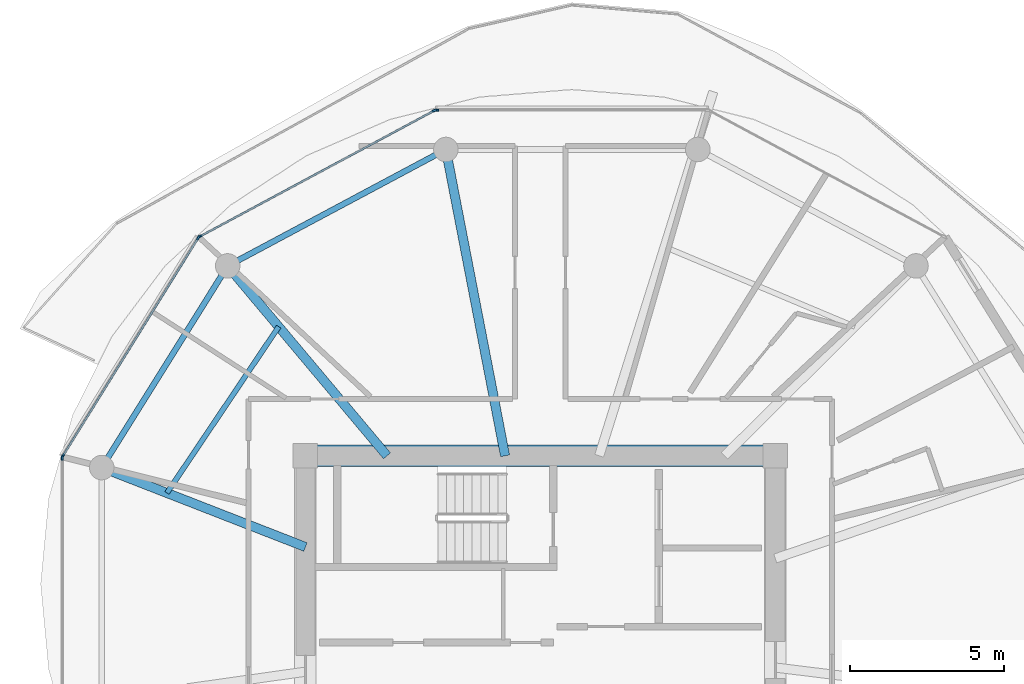
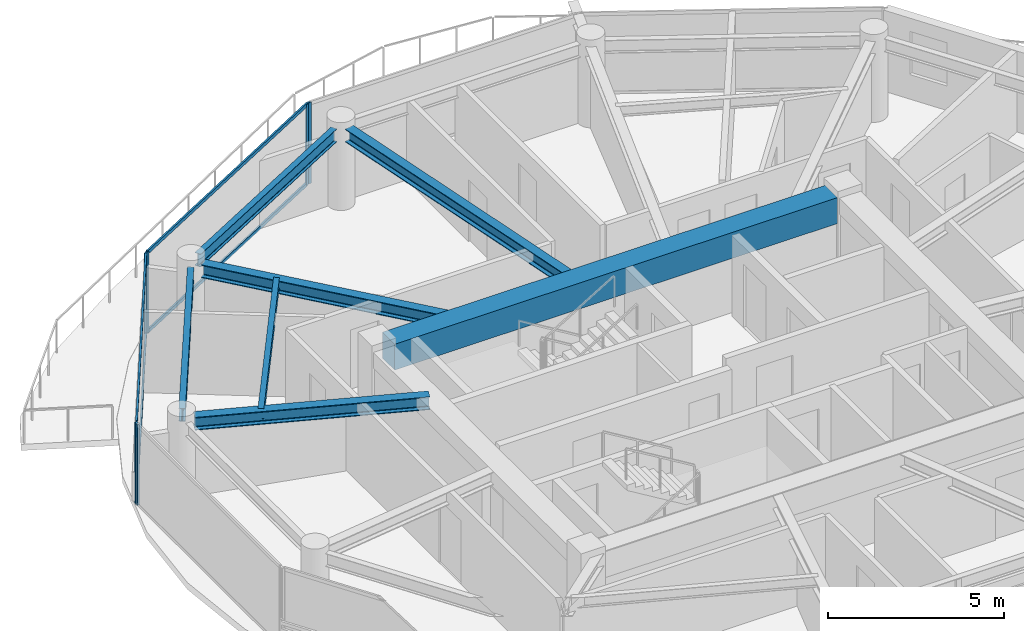
# One storey, part 4 of 21: 10 members, 7 beams, 4 elements without a shape of their own.
"""IFC4 building model written with IfcOpenShell, lengths in metres."""

from ifc_helpers import new_model, si_unit, direction, frame, origin, origin_2d, place, context, subcontext, project, spatial, rectangle, i_section, extrude, source, transform, mapped, material, layer, layer_set, material_profile, profile_set, type_object, type_shapes, element, aggregate, save


model = new_model("IFC4")

# Units and contexts
model_context = context("Model", 3, precision=1e-05, world=origin(), true_north=direction((0.0, 1.0)))
body_context = subcontext(model_context, "Body", "Model", "MODEL_VIEW")
ifc_project = project(units=[si_unit("LENGTHUNIT", "METRE"), si_unit("AREAUNIT", "SQUARE_METRE"), si_unit("VOLUMEUNIT", "CUBIC_METRE"), si_unit("PLANEANGLEUNIT", "RADIAN"), si_unit("MASSUNIT", "GRAM", prefix="KILO")], contexts=[model_context])

# Site, building, storey
site_placement = place(None, origin())
site = spatial("IfcSite", under=ifc_project, at=site_placement, CompositionType="ELEMENT")
building_placement = place(site_placement, origin())
building = spatial("IfcBuilding", under=site, at=building_placement, Name="Norrkilde Senior Care Towers", CompositionType="ELEMENT")
storey_placement = place(building_placement, frame((0.0, 0.0, 143.449951171875)))
storey = spatial("IfcBuildingStorey", under=building, at=storey_placement, Name="L44", CompositionType="ELEMENT", Elevation=143.449951171875)

# Beams
ifc_material_1 = material(Name="Concrete C60/75", Category="concrete")
ifc_material_profile_1 = material_profile(ifc_material_1, rectangle(XDim=0.699951171875, YDim=0.89990234375, at=origin_2d()), Name="RC BM 700x900")
ifc_profile_set_1 = profile_set([ifc_material_profile_1], Name="Concrete C60/75")
beam_type_1 = type_object("IfcBeamType", Name="Core Coupling Girder 700x900", PredefinedType="USERDEFINED", material=ifc_profile_set_1)
shared_shape_1 = source(origin(), body_context, "Body", "SweptSolid", [
    extrude(rectangle(XDim=0.699951171875, YDim=0.89990234375, at=origin_2d()), origin(), (0.0, 0.0, 1.0), 14.5400390625),
])
type_shapes(beam_type_1, [shared_shape_1])
beam_1_placement = place(storey_placement, frame((-35.27001953125, 5.949951171875, 2.360107421875), z_axis=(1.0, 0.0, 0.0), x_axis=(0.0, 1.0, 0.0)))
element("IfcBeam", 1, at=beam_1_placement, inside=storey, type_object=beam_type_1, Name="L44 Core W N Coupling Girder", ObjectType="GIRDER", PredefinedType="USERDEFINED", context=body_context, shape_type="MappedRepresentation", body=[
    mapped(shared_shape_1, transform((0.0, 0.0, 0.0), x_axis=(1.0, 0.0, 0.0), y_axis=(0.0, 1.0, 0.0), z_axis=(0.0, 0.0, 1.0), scale=1.0)),
])
ifc_material_2 = material(Name="Steel S355", Category="steel")
ifc_material_profile_2 = material_profile(ifc_material_2, i_section(OverallWidth=0.18994140625, OverallDepth=0.449951171875, WebThickness=0.009521484375, FlangeThickness=0.0146484375, FilletRadius=0.02099609375, at=origin_2d()), Name="IPE 450")
ifc_profile_set_2 = profile_set([ifc_material_profile_2], Name="Steel S355")
beam_type_2 = type_object("IfcBeamType", Name="Perimeter Ring Spandrel Z3 IPE450", PredefinedType="SPANDREL", material=ifc_profile_set_2)
shared_shape_2 = source(origin(), body_context, "Body", "SweptSolid", [
    extrude(i_section(OverallWidth=0.18994140625, OverallDepth=0.449951171875, WebThickness=0.009521484375, FlangeThickness=0.0146484375, FilletRadius=0.02099609375, at=origin_2d()), origin(), (0.0, 0.0, 1.0), 7.0234375),
])
beam_2_placement = place(storey_placement, frame((-38.373291015625, 11.8291015625, 2.5849609375), z_axis=(-0.529789577822, -0.848129119433, 0.0), x_axis=(0.848129119433, -0.529789577822, 0.0)))
element("IfcBeam", 2, at=beam_2_placement, inside=storey, type_object=beam_type_2, Name="L44 Drum W Perimeter Spandrel 05", PredefinedType="SPANDREL", context=body_context, shape_type="MappedRepresentation", body=[
    mapped(shared_shape_2, transform((0.0, 0.0, 0.0), x_axis=(1.0, 0.0, 0.0), y_axis=(0.0, 1.0, 0.0), z_axis=(0.0, 0.0, 1.0), scale=1.0)),
])
shared_shape_3 = source(origin(), body_context, "Body", "SweptSolid", [
    extrude(i_section(OverallWidth=0.18994140625, OverallDepth=0.449951171875, WebThickness=0.009521484375, FlangeThickness=0.0146484375, FilletRadius=0.02099609375, at=origin_2d()), origin(), (0.0, 0.0, 1.0), 7.333740234375),
])
type_shapes(beam_type_2, [shared_shape_2, shared_shape_3])
beam_3_placement = place(storey_placement, frame((-31.394775390625, 15.756591796875, 2.5849609375), z_axis=(-0.882247866069, -0.470785198172, 0.0), x_axis=(0.470785198172, -0.882247866069, 0.0)))
element("IfcBeam", 3, at=beam_3_placement, inside=storey, type_object=beam_type_2, Name="L44 Drum W Perimeter Spandrel 04", PredefinedType="SPANDREL", context=body_context, shape_type="MappedRepresentation", body=[
    mapped(shared_shape_3, transform((0.0, 0.0, 0.0), x_axis=(1.0, 0.0, 0.0), y_axis=(0.0, 1.0, 0.0), z_axis=(0.0, 0.0, 1.0), scale=1.0)),
])
ifc_material_profile_3 = material_profile(ifc_material_2, i_section(OverallWidth=0.300048828125, OverallDepth=0.449951171875, WebThickness=0.013916015625, FlangeThickness=0.02587890625, FilletRadius=0.027099609375, at=origin_2d()), Name="HEB 450")
ifc_profile_set_3 = profile_set([ifc_material_profile_3], Name="Steel S355")
beam_type_3 = type_object("IfcBeamType", Name="Radial Floor Beam Z3 HEB450", PredefinedType="BEAM", material=ifc_profile_set_3)
shared_shape_4 = source(origin(), body_context, "Body", "SweptSolid", [
    extrude(i_section(OverallWidth=0.300048828125, OverallDepth=0.449951171875, WebThickness=0.013916015625, FlangeThickness=0.02587890625, FilletRadius=0.027099609375, at=origin_2d()), origin(), (0.0, 0.0, 1.0), 9.80078125),
])
beam_4_placement = place(storey_placement, frame((-29.149658203125, 5.949951171875, 2.5849609375), z_axis=(-0.189716727661, 0.98183886827, 0.0), x_axis=(-0.98183886827, -0.189716727661, 0.0)))
element("IfcBeam", 4, at=beam_4_placement, inside=storey, type_object=beam_type_3, Name="L44 Drum W Radial Floor Beam 04", PredefinedType="BEAM", context=body_context, shape_type="MappedRepresentation", body=[
    mapped(shared_shape_4, transform((0.0, 0.0, 0.0), x_axis=(1.0, 0.0, 0.0), y_axis=(0.0, 1.0, 0.0), z_axis=(0.0, 0.0, 1.0), scale=1.0)),
])
shared_shape_5 = source(origin(), body_context, "Body", "SweptSolid", [
    extrude(i_section(OverallWidth=0.300048828125, OverallDepth=0.449951171875, WebThickness=0.013916015625, FlangeThickness=0.02587890625, FilletRadius=0.027099609375, at=origin_2d()), origin(), (0.0, 0.0, 1.0), 7.71337890625),
])
beam_5_placement = place(storey_placement, frame((-32.992919921875, 5.949951171875, 2.5849609375), z_axis=(-0.642808239864, 0.766027131872, 0.0), x_axis=(-0.766027131872, -0.642808239864, 0.0)))
element("IfcBeam", 5, at=beam_5_placement, inside=storey, type_object=beam_type_3, Name="L44 Drum W Radial Floor Beam 05", PredefinedType="BEAM", context=body_context, shape_type="MappedRepresentation", body=[
    mapped(shared_shape_5, transform((0.0, 0.0, 0.0), x_axis=(1.0, 0.0, 0.0), y_axis=(0.0, 1.0, 0.0), z_axis=(0.0, 0.0, 1.0), scale=1.0)),
])
shared_shape_6 = source(origin(), body_context, "Body", "SweptSolid", [
    extrude(i_section(OverallWidth=0.300048828125, OverallDepth=0.449951171875, WebThickness=0.013916015625, FlangeThickness=0.02587890625, FilletRadius=0.027099609375, at=origin_2d()), origin(), (0.0, 0.0, 1.0), 6.760986328125),
])
type_shapes(beam_type_3, [shared_shape_4, shared_shape_5, shared_shape_6])
beam_6_placement = place(storey_placement, frame((-35.64990234375, 2.981201171875, 2.5849609375), z_axis=(-0.931742171387, 0.363120539297, 0.0), x_axis=(-0.363120539297, -0.931742171387, 0.0)))
element("IfcBeam", 6, at=beam_6_placement, inside=storey, type_object=beam_type_3, Name="L44 Drum W Radial Floor Beam 06", PredefinedType="BEAM", context=body_context, shape_type="MappedRepresentation", body=[
    mapped(shared_shape_6, transform((0.0, 0.0, 0.0), x_axis=(1.0, 0.0, 0.0), y_axis=(0.0, 1.0, 0.0), z_axis=(0.0, 0.0, 1.0), scale=1.0)),
])
ifc_material_profile_4 = material_profile(ifc_material_2, i_section(OverallWidth=0.169921875, OverallDepth=0.360107421875, WebThickness=0.008056640625, FlangeThickness=0.0126953125, FilletRadius=0.01806640625, at=origin_2d()), Name="IPE 360")
ifc_profile_set_4 = profile_set([ifc_material_profile_4], Name="Steel S355")
beam_type_4 = type_object("IfcBeamType", Name="Secondary Floor Joist IPE360", PredefinedType="JOIST", material=ifc_profile_set_4)
shared_shape_7 = source(origin(), body_context, "Body", "SweptSolid", [
    extrude(i_section(OverallWidth=0.169921875, OverallDepth=0.360107421875, WebThickness=0.008056640625, FlangeThickness=0.0126953125, FilletRadius=0.01806640625, at=origin_2d()), origin(), (0.0, 0.0, 1.0), 6.525390625),
])
type_shapes(beam_type_4, [shared_shape_7])
beam_7_placement = place(storey_placement, frame((-36.52197265625, 10.155517578125, 2.630126953125), z_axis=(-0.55779590102, -0.829978152005, 0.0), x_axis=(0.829978152005, -0.55779590102, 0.0)))
element("IfcBeam", 7, at=beam_7_placement, inside=storey, type_object=beam_type_4, Name="L44 Drum W Secondary Floor Joist 2", PredefinedType="JOIST", context=body_context, shape_type="MappedRepresentation", body=[
    mapped(shared_shape_7, transform((0.0, 0.0, 0.0), x_axis=(1.0, 0.0, 0.0), y_axis=(0.0, 1.0, 0.0), z_axis=(0.0, 0.0, 1.0), scale=1.0)),
])

# Curtain wall, member
ifc_material_3 = material(Name="Triple Low-E Insulated Glazing", Category="glass")
ifc_layer = layer(ifc_material_3, 0.18994140625)
ifc_layer_set = layer_set([ifc_layer], Name="Triple Low-E Insulated Glazing")
curtain_wall_type = type_object("IfcCurtainWallType", Name="CW4 Zone 3 Senior Residence Curtain Wall", PredefinedType="NOTDEFINED", material=ifc_layer_set)
curtain_wall_1_placement = place(storey_placement, origin())
curtain_wall_1 = element("IfcCurtainWall", 8, at=curtain_wall_1_placement, inside=storey, type_object=curtain_wall_type, Name="L44 Drum W Curtain Wall 02", PredefinedType="NOTDEFINED")
ifc_material_4 = material(Name="Anodised Aluminium", Category="aluminium")
ifc_material_profile_5 = material_profile(ifc_material_4, rectangle(XDim=0.06494140625, YDim=0.14990234375, at=origin_2d()), Name="ALU MULL 65x150")
ifc_profile_set_5 = profile_set([ifc_material_profile_5], Name="Anodised Aluminium")
member_type_1 = type_object("IfcMemberType", Name="Curtain Wall Mullion Z3-Z4 65x150", PredefinedType="MULLION", material=ifc_profile_set_5)
shared_shape_8 = source(origin(), body_context, "Body", "SweptSolid", [
    extrude(rectangle(XDim=0.06494140625, YDim=0.14990234375, at=origin_2d()), origin(), (0.0, 0.0, 1.0), 2.81005859375),
])
type_shapes(member_type_1, [shared_shape_8])
member_1_placement = place(storey_placement, frame((-31.388916015625, 17.2109375, 0.0), z_axis=(0.0, 0.0, 1.0), x_axis=(0.0, 1.0, 0.0)))
member_1 = element("IfcMember", 9, at=member_1_placement, type_object=member_type_1, Name="CW-4 mullion 1", PredefinedType="MULLION", context=body_context, shape_type="MappedRepresentation", body=[
    mapped(shared_shape_8, transform((0.0, 0.0, 0.0), x_axis=(1.0, 0.0, 0.0), y_axis=(0.0, 1.0, 0.0), z_axis=(0.0, 0.0, 1.0), scale=1.0)),
])
aggregate(curtain_wall_1, [member_1])

# Curtain wall, members
curtain_wall_2_placement = place(storey_placement, origin())
curtain_wall_2 = element("IfcCurtainWall", 10, at=curtain_wall_2_placement, inside=storey, type_object=curtain_wall_type, Name="L44 Drum W Curtain Wall 03", PredefinedType="NOTDEFINED")
member_2_placement = place(storey_placement, frame((-39.094482421875, 13.09033203125, 0.0), z_axis=(0.0, 0.0, 1.0), x_axis=(-0.47311715104, 0.880999524059, 0.0)))
member_2 = element("IfcMember", 11, at=member_2_placement, type_object=member_type_1, Name="CW-4 mullion 1", PredefinedType="MULLION", context=body_context, shape_type="MappedRepresentation", body=[
    mapped(shared_shape_8, transform((0.0, 0.0, 0.0), x_axis=(1.0, 0.0, 0.0), y_axis=(0.0, 1.0, 0.0), z_axis=(0.0, 0.0, 1.0), scale=1.0)),
])
member_3_placement = place(storey_placement, frame((-31.4501953125, 17.195556640625, 0.0), z_axis=(0.0, 0.0, 1.0), x_axis=(-0.47311715104, 0.880999524059, 0.0)))
member_3 = element("IfcMember", 12, at=member_3_placement, type_object=member_type_1, Name="CW-4 mullion 2", PredefinedType="MULLION", context=body_context, shape_type="MappedRepresentation", body=[
    mapped(shared_shape_8, transform((0.0, 0.0, 0.0), x_axis=(1.0, 0.0, 0.0), y_axis=(0.0, 1.0, 0.0), z_axis=(0.0, 0.0, 1.0), scale=1.0)),
])

curtain_wall_3_placement = place(storey_placement, origin())
curtain_wall_3 = element("IfcCurtainWall", 13, at=curtain_wall_3_placement, inside=storey, type_object=curtain_wall_type, Name="L44 Drum W Curtain Wall 04", PredefinedType="NOTDEFINED")
member_4_placement = place(storey_placement, frame((-43.552490234375, 5.93896484375, 0.0), z_axis=(0.0, 0.0, 1.0), x_axis=(-0.84963405474, 0.52737270789, 0.0)))
member_4 = element("IfcMember", 14, at=member_4_placement, type_object=member_type_1, Name="CW-4 mullion 1", PredefinedType="MULLION", context=body_context, shape_type="MappedRepresentation", body=[
    mapped(shared_shape_8, transform((0.0, 0.0, 0.0), x_axis=(1.0, 0.0, 0.0), y_axis=(0.0, 1.0, 0.0), z_axis=(0.0, 0.0, 1.0), scale=1.0)),
])
member_5_placement = place(storey_placement, frame((-39.14013671875, 13.04736328125, 0.0), z_axis=(0.0, 0.0, 1.0), x_axis=(-0.84963405474, 0.52737270789, 0.0)))
member_5 = element("IfcMember", 15, at=member_5_placement, type_object=member_type_1, Name="CW-4 mullion 2", PredefinedType="MULLION", context=body_context, shape_type="MappedRepresentation", body=[
    mapped(shared_shape_8, transform((0.0, 0.0, 0.0), x_axis=(1.0, 0.0, 0.0), y_axis=(0.0, 1.0, 0.0), z_axis=(0.0, 0.0, 1.0), scale=1.0)),
])

# Curtain wall, member
curtain_wall_4_placement = place(storey_placement, origin())
curtain_wall_4 = element("IfcCurtainWall", 16, at=curtain_wall_4_placement, inside=storey, type_object=curtain_wall_type, Name="L44 Drum W Curtain Wall 05", PredefinedType="NOTDEFINED")
member_6_placement = place(storey_placement, frame((-43.569580078125, 5.878662109375, 0.0), z_axis=(0.0, 0.0, 1.0), x_axis=(-1.0, 0.0, 0.0)))
member_6 = element("IfcMember", 17, at=member_6_placement, type_object=member_type_1, Name="CW-4 mullion 2", PredefinedType="MULLION", context=body_context, shape_type="MappedRepresentation", body=[
    mapped(shared_shape_8, transform((0.0, 0.0, 0.0), x_axis=(1.0, 0.0, 0.0), y_axis=(0.0, 1.0, 0.0), z_axis=(0.0, 0.0, 1.0), scale=1.0)),
])
aggregate(curtain_wall_4, [member_6])

# Member
ifc_material_profile_6 = material_profile(ifc_material_4, rectangle(XDim=0.06005859375, YDim=0.1201171875, at=origin_2d()), Name="ALU TRAN 60x120")
ifc_profile_set_6 = profile_set([ifc_material_profile_6], Name="Anodised Aluminium")
member_type_2 = type_object("IfcMemberType", Name="Curtain Wall Transom Typical 60x120", PredefinedType="USERDEFINED", material=ifc_profile_set_6)
shared_shape_9 = source(origin(), body_context, "Body", "SweptSolid", [
    extrude(rectangle(XDim=0.06005859375, YDim=0.1201171875, at=origin_2d()), origin(), (0.0, 0.0, 1.0), 8.301513671875),
])
member_7_placement = place(storey_placement, frame((-43.535400390625, 5.966552734375, 0.030029296875), z_axis=(0.527368718394, 0.849636531029, 0.0), x_axis=(-0.849636531029, 0.527368718394, 0.0)))
member_7 = element("IfcMember", 18, at=member_7_placement, type_object=member_type_2, Name="CW-4 transom 1.1", ObjectType="TRANSOM", PredefinedType="USERDEFINED", context=body_context, shape_type="MappedRepresentation", body=[
    mapped(shared_shape_9, transform((0.0, 0.0, 0.0), x_axis=(1.0, 0.0, 0.0), y_axis=(0.0, 1.0, 0.0), z_axis=(0.0, 0.0, 1.0), scale=1.0)),
])

member_8_placement = place(storey_placement, frame((-43.535400390625, 5.966552734375, 2.780029296875), z_axis=(0.527368718394, 0.849636531029, 0.0), x_axis=(-0.849636531029, 0.527368718394, 0.0)))
member_8 = element("IfcMember", 19, at=member_8_placement, type_object=member_type_2, Name="CW-4 transom 1.2", ObjectType="TRANSOM", PredefinedType="USERDEFINED", context=body_context, shape_type="MappedRepresentation", body=[
    mapped(shared_shape_9, transform((0.0, 0.0, 0.0), x_axis=(1.0, 0.0, 0.0), y_axis=(0.0, 1.0, 0.0), z_axis=(0.0, 0.0, 1.0), scale=1.0)),
])

aggregate(curtain_wall_3, [member_4, member_5, member_7, member_8])

shared_shape_10 = source(origin(), body_context, "Body", "SweptSolid", [
    extrude(rectangle(XDim=0.06005859375, YDim=0.1201171875, at=origin_2d()), origin(), (0.0, 0.0, 1.0), 8.612060546875),
])
type_shapes(member_type_2, [shared_shape_9, shared_shape_10])
member_9_placement = place(storey_placement, frame((-39.06591796875, 13.105712890625, 0.030029296875), z_axis=(0.881000337462, 0.473115636384, 0.0), x_axis=(-0.473115636384, 0.881000337462, 0.0)))
member_9 = element("IfcMember", 20, at=member_9_placement, type_object=member_type_2, Name="CW-4 transom 1.1", ObjectType="TRANSOM", PredefinedType="USERDEFINED", context=body_context, shape_type="MappedRepresentation", body=[
    mapped(shared_shape_10, transform((0.0, 0.0, 0.0), x_axis=(1.0, 0.0, 0.0), y_axis=(0.0, 1.0, 0.0), z_axis=(0.0, 0.0, 1.0), scale=1.0)),
])

member_10_placement = place(storey_placement, frame((-39.06591796875, 13.105712890625, 2.780029296875), z_axis=(0.881000337462, 0.473115636384, 0.0), x_axis=(-0.473115636384, 0.881000337462, 0.0)))
member_10 = element("IfcMember", 21, at=member_10_placement, type_object=member_type_2, Name="CW-4 transom 1.2", ObjectType="TRANSOM", PredefinedType="USERDEFINED", context=body_context, shape_type="MappedRepresentation", body=[
    mapped(shared_shape_10, transform((0.0, 0.0, 0.0), x_axis=(1.0, 0.0, 0.0), y_axis=(0.0, 1.0, 0.0), z_axis=(0.0, 0.0, 1.0), scale=1.0)),
])

aggregate(curtain_wall_2, [member_2, member_3, member_9, member_10])

save(model, "model.ifc")
